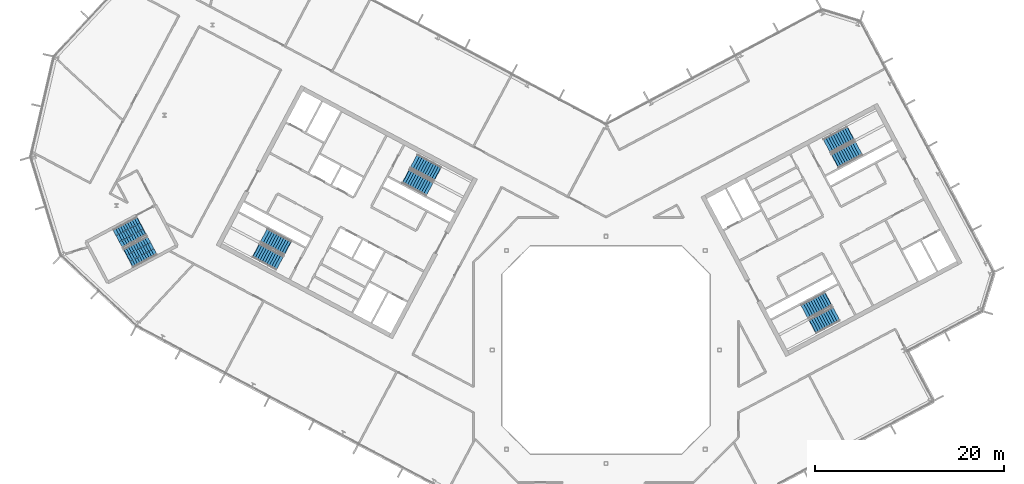
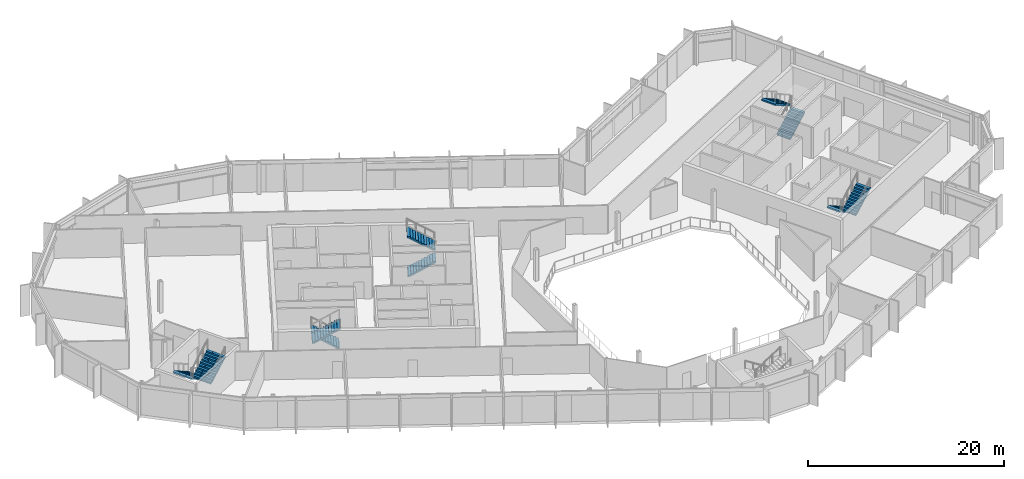
# One storey, part 17 of 25: 10 stair flights, 5 elements without a shape of their own.
"""IFC4 building model written with IfcOpenShell, lengths in metres."""

from ifc_helpers import new_model, si_unit, direction, frame, origin, place, context, subcontext, project, spatial, polyline, outline, extrude, material, type_object, element, aggregate, save


model = new_model("IFC4")

# Units and contexts
model_context = context("Model", 3, precision=1e-05, world=origin(), true_north=direction((0.0, 1.0)))
body_context = subcontext(model_context, "Body", "Model", "MODEL_VIEW")
ifc_project = project(units=[si_unit("LENGTHUNIT", "METRE"), si_unit("AREAUNIT", "SQUARE_METRE"), si_unit("VOLUMEUNIT", "CUBIC_METRE"), si_unit("PLANEANGLEUNIT", "RADIAN"), si_unit("MASSUNIT", "GRAM", prefix="KILO")], contexts=[model_context])

# Site, building, storey
site_placement = place(None, origin())
site = spatial("IfcSite", under=ifc_project, at=site_placement, CompositionType="ELEMENT")
building_placement = place(site_placement, origin())
building = spatial("IfcBuilding", under=site, at=building_placement, Name="Cormorant Relay Tower", CompositionType="ELEMENT")
storey_placement = place(building_placement, frame((0.0, 0.0, 265.800048828125)))
storey = spatial("IfcBuildingStorey", under=building, at=storey_placement, Name="L59", CompositionType="ELEMENT", Elevation=265.800048828125)

# Stair, stair flights
ifc_material_1 = material(Name="Concrete 40 MPa", Category="concrete")
stair_type_1 = type_object("IfcStairType", Name="Exit stair 1500", PredefinedType="HALF_TURN_STAIR", material=ifc_material_1)
stair_1_placement = place(storey_placement, origin())
stair_1 = element("IfcStair", 1, at=stair_1_placement, inside=storey, type_object=stair_type_1, Name="L59 Stair", PredefinedType="HALF_TURN_STAIR")
ifc_material_2 = material(Name="Concrete 40 MPa", Category="concrete")
stair_flight_type_1 = type_object("IfcStairFlightType", Name="Exit stair flight 1650", PredefinedType="STRAIGHT", material=ifc_material_2)
stair_flight_1_placement = place(storey_placement, frame((-21.114501953125, 18.33349609375, 0.0), z_axis=(0.0, 0.0, 1.0), x_axis=(0.882947592859, -0.469471562786, 0.0)))
stair_flight_1 = element("IfcStairFlight", 2, at=stair_flight_1_placement, type_object=stair_flight_type_1, Name="A1 flight 1", NumberOfRisers=11, NumberOfTreads=10, PredefinedType="STRAIGHT", RiserHeight=0.177272727, TreadLength=0.28, context=body_context, shape_type="SweptSolid", body=[
    extrude(outline(polyline([(-0.050048828125, -0.080078125), (-0.050048828125, 0.0), (0.0, 0.0), (0.0, 0.17724609375), (0.280029296875, 0.17724609375), (0.280029296875, 0.3544921875), (0.56005859375, 0.3544921875), (0.56005859375, 0.53173828125), (0.840087890625, 0.53173828125), (0.840087890625, 0.708984375), (1.1201171875, 0.708984375), (1.1201171875, 0.886474609375), (1.39990234375, 0.886474609375), (1.39990234375, 1.063720703125), (1.679931640625, 1.063720703125), (1.679931640625, 1.240966796875), (1.9599609375, 1.240966796875), (1.9599609375, 1.418212890625), (2.239990234375, 1.418212890625), (2.239990234375, 1.595458984375), (2.52001953125, 1.595458984375), (2.52001953125, 1.772705078125), (2.800048828125, 1.772705078125), (2.85009765625, 1.772705078125), (2.85009765625, 1.59521484375), (2.800048828125, 1.59521484375), (0.2802734375, 0.0), (-0.050048828125, -0.080078125)])), frame((0.0, 0.824951171875, 0.0), z_axis=(0.0, -1.0, 0.0), x_axis=(1.0, 0.0, 0.0)), (0.0, 0.0, 1.0), 1.64990234375),
])
stair_flight_2_placement = place(storey_placement, frame((-17.797119140625, 18.6083984375, 1.949951171875), z_axis=(0.0, 0.0, 1.0), x_axis=(-0.882947592859, 0.469471562786, 0.0)))
stair_flight_2 = element("IfcStairFlight", 3, at=stair_flight_2_placement, type_object=stair_flight_type_1, Name="A1 flight 2", NumberOfRisers=11, NumberOfTreads=10, PredefinedType="STRAIGHT", RiserHeight=0.177272727, TreadLength=0.28, context=body_context, shape_type="SweptSolid", body=[
    extrude(outline(polyline([(-0.050048828125, -0.080078125), (-0.050048828125, 0.0), (0.0, 0.0), (0.0, 0.17724609375), (0.280029296875, 0.17724609375), (0.280029296875, 0.3544921875), (0.56005859375, 0.3544921875), (0.56005859375, 0.53173828125), (0.840087890625, 0.53173828125), (0.840087890625, 0.708984375), (1.1201171875, 0.708984375), (1.1201171875, 0.886474609375), (1.39990234375, 0.886474609375), (1.39990234375, 1.063720703125), (1.679931640625, 1.063720703125), (1.679931640625, 1.240966796875), (1.9599609375, 1.240966796875), (1.9599609375, 1.418212890625), (2.239990234375, 1.418212890625), (2.239990234375, 1.595458984375), (2.52001953125, 1.595458984375), (2.52001953125, 1.772705078125), (2.800048828125, 1.772705078125), (2.85009765625, 1.772705078125), (2.85009765625, 1.59521484375), (2.800048828125, 1.59521484375), (0.2802734375, 0.0), (-0.050048828125, -0.080078125)])), frame((0.0, 0.824951171875, 0.0), z_axis=(0.0, -1.0, 0.0), x_axis=(1.0, 0.0, 0.0)), (0.0, 0.0, 1.0), 1.64990234375),
])
aggregate(stair_1, [stair_flight_1, stair_flight_2])

stair_2_placement = place(storey_placement, origin())
stair_2 = element("IfcStair", 4, at=stair_2_placement, inside=storey, type_object=stair_type_1, Name="L59 Stair", PredefinedType="HALF_TURN_STAIR")
stair_flight_3_placement = place(storey_placement, frame((-33.62841796875, 10.773681640625, 0.0), z_axis=(0.0, 0.0, 1.0), x_axis=(-0.882947592859, 0.469471562786, 0.0)))
stair_flight_3 = element("IfcStairFlight", 5, at=stair_flight_3_placement, type_object=stair_flight_type_1, Name="A2 flight 1", NumberOfRisers=11, NumberOfTreads=10, PredefinedType="STRAIGHT", RiserHeight=0.177272727, TreadLength=0.28, context=body_context, shape_type="SweptSolid", body=[
    extrude(outline(polyline([(-0.050048828125, -0.080078125), (-0.050048828125, 0.0), (0.0, 0.0), (0.0, 0.17724609375), (0.280029296875, 0.17724609375), (0.280029296875, 0.3544921875), (0.56005859375, 0.3544921875), (0.56005859375, 0.53173828125), (0.840087890625, 0.53173828125), (0.840087890625, 0.708984375), (1.1201171875, 0.708984375), (1.1201171875, 0.886474609375), (1.39990234375, 0.886474609375), (1.39990234375, 1.063720703125), (1.679931640625, 1.063720703125), (1.679931640625, 1.240966796875), (1.9599609375, 1.240966796875), (1.9599609375, 1.418212890625), (2.239990234375, 1.418212890625), (2.239990234375, 1.595458984375), (2.52001953125, 1.595458984375), (2.52001953125, 1.772705078125), (2.800048828125, 1.772705078125), (2.85009765625, 1.772705078125), (2.85009765625, 1.59521484375), (2.800048828125, 1.59521484375), (0.2802734375, 0.0), (-0.050048828125, -0.080078125)])), frame((0.0, 0.824951171875, 0.0), z_axis=(0.0, -1.0, 0.0), x_axis=(1.0, 0.0, 0.0)), (0.0, 0.0, 1.0), 1.64990234375),
])
stair_flight_4_placement = place(storey_placement, frame((-36.945556640625, 10.498779296875, 1.949951171875), z_axis=(0.0, 0.0, 1.0), x_axis=(0.882947592859, -0.469471562786, 0.0)))
stair_flight_4 = element("IfcStairFlight", 6, at=stair_flight_4_placement, type_object=stair_flight_type_1, Name="A2 flight 2", NumberOfRisers=11, NumberOfTreads=10, PredefinedType="STRAIGHT", RiserHeight=0.177272727, TreadLength=0.28, context=body_context, shape_type="SweptSolid", body=[
    extrude(outline(polyline([(-0.050048828125, -0.080078125), (-0.050048828125, 0.0), (0.0, 0.0), (0.0, 0.17724609375), (0.280029296875, 0.17724609375), (0.280029296875, 0.3544921875), (0.56005859375, 0.3544921875), (0.56005859375, 0.53173828125), (0.840087890625, 0.53173828125), (0.840087890625, 0.708984375), (1.1201171875, 0.708984375), (1.1201171875, 0.886474609375), (1.39990234375, 0.886474609375), (1.39990234375, 1.063720703125), (1.679931640625, 1.063720703125), (1.679931640625, 1.240966796875), (1.9599609375, 1.240966796875), (1.9599609375, 1.418212890625), (2.239990234375, 1.418212890625), (2.239990234375, 1.595458984375), (2.52001953125, 1.595458984375), (2.52001953125, 1.772705078125), (2.800048828125, 1.772705078125), (2.85009765625, 1.772705078125), (2.85009765625, 1.59521484375), (2.800048828125, 1.59521484375), (0.2802734375, 0.0), (-0.050048828125, -0.080078125)])), frame((0.0, 0.824951171875, 0.0), z_axis=(0.0, -1.0, 0.0), x_axis=(1.0, 0.0, 0.0)), (0.0, 0.0, 1.0), 1.64990234375),
])
aggregate(stair_2, [stair_flight_3, stair_flight_4])

stair_3_placement = place(storey_placement, origin())
stair_3 = element("IfcStair", 7, at=stair_3_placement, inside=storey, type_object=stair_type_1, Name="L59 Stair", PredefinedType="HALF_TURN_STAIR")
stair_flight_5_placement = place(storey_placement, frame((23.474365234375, 5.374755859375, 0.0), z_axis=(0.0, 0.0, 1.0), x_axis=(-0.882947592859, -0.469471562786, 0.0)))
stair_flight_5 = element("IfcStairFlight", 8, at=stair_flight_5_placement, type_object=stair_flight_type_1, Name="B1 flight 1", NumberOfRisers=11, NumberOfTreads=10, PredefinedType="STRAIGHT", RiserHeight=0.177272727, TreadLength=0.28, context=body_context, shape_type="SweptSolid", body=[
    extrude(outline(polyline([(-0.050048828125, -0.080078125), (-0.050048828125, 0.0), (0.0, 0.0), (0.0, 0.17724609375), (0.280029296875, 0.17724609375), (0.280029296875, 0.3544921875), (0.56005859375, 0.3544921875), (0.56005859375, 0.53173828125), (0.840087890625, 0.53173828125), (0.840087890625, 0.708984375), (1.1201171875, 0.708984375), (1.1201171875, 0.886474609375), (1.39990234375, 0.886474609375), (1.39990234375, 1.063720703125), (1.679931640625, 1.063720703125), (1.679931640625, 1.240966796875), (1.9599609375, 1.240966796875), (1.9599609375, 1.418212890625), (2.239990234375, 1.418212890625), (2.239990234375, 1.595458984375), (2.52001953125, 1.595458984375), (2.52001953125, 1.772705078125), (2.800048828125, 1.772705078125), (2.85009765625, 1.772705078125), (2.85009765625, 1.59521484375), (2.800048828125, 1.59521484375), (0.2802734375, 0.0), (-0.050048828125, -0.080078125)])), frame((0.0, 0.824951171875, 0.0), z_axis=(0.0, -1.0, 0.0), x_axis=(1.0, 0.0, 0.0)), (0.0, 0.0, 1.0), 1.64990234375),
])
stair_flight_6_placement = place(storey_placement, frame((21.84716796875, 2.470947265625, 1.949951171875), z_axis=(0.0, 0.0, 1.0), x_axis=(0.882947592859, 0.469471562786, 0.0)))
stair_flight_6 = element("IfcStairFlight", 9, at=stair_flight_6_placement, type_object=stair_flight_type_1, Name="B1 flight 2", NumberOfRisers=11, NumberOfTreads=10, PredefinedType="STRAIGHT", RiserHeight=0.177272727, TreadLength=0.28, context=body_context, shape_type="SweptSolid", body=[
    extrude(outline(polyline([(-0.050048828125, -0.080078125), (-0.050048828125, 0.0), (0.0, 0.0), (0.0, 0.17724609375), (0.280029296875, 0.17724609375), (0.280029296875, 0.3544921875), (0.56005859375, 0.3544921875), (0.56005859375, 0.53173828125), (0.840087890625, 0.53173828125), (0.840087890625, 0.708984375), (1.1201171875, 0.708984375), (1.1201171875, 0.886474609375), (1.39990234375, 0.886474609375), (1.39990234375, 1.063720703125), (1.679931640625, 1.063720703125), (1.679931640625, 1.240966796875), (1.9599609375, 1.240966796875), (1.9599609375, 1.418212890625), (2.239990234375, 1.418212890625), (2.239990234375, 1.595458984375), (2.52001953125, 1.595458984375), (2.52001953125, 1.772705078125), (2.800048828125, 1.772705078125), (2.85009765625, 1.772705078125), (2.85009765625, 1.59521484375), (2.800048828125, 1.59521484375), (0.2802734375, 0.0), (-0.050048828125, -0.080078125)])), frame((0.0, 0.824951171875, 0.0), z_axis=(0.0, -1.0, 0.0), x_axis=(1.0, 0.0, 0.0)), (0.0, 0.0, 1.0), 1.64990234375),
])
aggregate(stair_3, [stair_flight_5, stair_flight_6])

stair_4_placement = place(storey_placement, origin())
stair_4 = element("IfcStair", 10, at=stair_4_placement, inside=storey, type_object=stair_type_1, Name="L59 Stair", PredefinedType="HALF_TURN_STAIR")
stair_flight_7_placement = place(storey_placement, frame((24.20458984375, 19.976806640625, 0.0), z_axis=(0.0, 0.0, 1.0), x_axis=(0.882947592859, 0.469471562786, 0.0)))
stair_flight_7 = element("IfcStairFlight", 11, at=stair_flight_7_placement, type_object=stair_flight_type_1, Name="B2 flight 1", NumberOfRisers=11, NumberOfTreads=10, PredefinedType="STRAIGHT", RiserHeight=0.177272727, TreadLength=0.28, context=body_context, shape_type="SweptSolid", body=[
    extrude(outline(polyline([(-0.050048828125, -0.080078125), (-0.050048828125, 0.0), (0.0, 0.0), (0.0, 0.17724609375), (0.280029296875, 0.17724609375), (0.280029296875, 0.3544921875), (0.56005859375, 0.3544921875), (0.56005859375, 0.53173828125), (0.840087890625, 0.53173828125), (0.840087890625, 0.708984375), (1.1201171875, 0.708984375), (1.1201171875, 0.886474609375), (1.39990234375, 0.886474609375), (1.39990234375, 1.063720703125), (1.679931640625, 1.063720703125), (1.679931640625, 1.240966796875), (1.9599609375, 1.240966796875), (1.9599609375, 1.418212890625), (2.239990234375, 1.418212890625), (2.239990234375, 1.595458984375), (2.52001953125, 1.595458984375), (2.52001953125, 1.772705078125), (2.800048828125, 1.772705078125), (2.85009765625, 1.772705078125), (2.85009765625, 1.59521484375), (2.800048828125, 1.59521484375), (0.2802734375, 0.0), (-0.050048828125, -0.080078125)])), frame((0.0, 0.824951171875, 0.0), z_axis=(0.0, -1.0, 0.0), x_axis=(1.0, 0.0, 0.0)), (0.0, 0.0, 1.0), 1.64990234375),
])
stair_flight_8_placement = place(storey_placement, frame((25.831787109375, 22.880615234375, 1.949951171875), z_axis=(0.0, 0.0, 1.0), x_axis=(-0.882947592859, -0.469471562786, 0.0)))
stair_flight_8 = element("IfcStairFlight", 12, at=stair_flight_8_placement, type_object=stair_flight_type_1, Name="B2 flight 2", NumberOfRisers=11, NumberOfTreads=10, PredefinedType="STRAIGHT", RiserHeight=0.177272727, TreadLength=0.28, context=body_context, shape_type="SweptSolid", body=[
    extrude(outline(polyline([(-0.050048828125, -0.080078125), (-0.050048828125, 0.0), (0.0, 0.0), (0.0, 0.17724609375), (0.280029296875, 0.17724609375), (0.280029296875, 0.3544921875), (0.56005859375, 0.3544921875), (0.56005859375, 0.53173828125), (0.840087890625, 0.53173828125), (0.840087890625, 0.708984375), (1.1201171875, 0.708984375), (1.1201171875, 0.886474609375), (1.39990234375, 0.886474609375), (1.39990234375, 1.063720703125), (1.679931640625, 1.063720703125), (1.679931640625, 1.240966796875), (1.9599609375, 1.240966796875), (1.9599609375, 1.418212890625), (2.239990234375, 1.418212890625), (2.239990234375, 1.595458984375), (2.52001953125, 1.595458984375), (2.52001953125, 1.772705078125), (2.800048828125, 1.772705078125), (2.85009765625, 1.772705078125), (2.85009765625, 1.59521484375), (2.800048828125, 1.59521484375), (0.2802734375, 0.0), (-0.050048828125, -0.080078125)])), frame((0.0, 0.824951171875, 0.0), z_axis=(0.0, -1.0, 0.0), x_axis=(1.0, 0.0, 0.0)), (0.0, 0.0, 1.0), 1.64990234375),
])
aggregate(stair_4, [stair_flight_7, stair_flight_8])

ifc_material_3 = material(Name="Concrete 40 MPa", Category="concrete")
stair_type_2 = type_object("IfcStairType", Name="Remote exit stair 2200", PredefinedType="HALF_TURN_STAIR", material=ifc_material_3)
stair_5_placement = place(storey_placement, origin())
stair_5 = element("IfcStair", 13, at=stair_5_placement, inside=storey, type_object=stair_type_2, Name="L59 Stair", PredefinedType="HALF_TURN_STAIR")
ifc_material_4 = material(Name="Concrete 40 MPa", Category="concrete")
stair_flight_type_2 = type_object("IfcStairFlightType", Name="Remote exit stair flight 2200", PredefinedType="STRAIGHT", material=ifc_material_4)
stair_flight_9_placement = place(storey_placement, frame((-49.062255859375, 13.08251953125, 0.0), z_axis=(0.0, 0.0, 1.0), x_axis=(-0.882947502727, -0.4694717323, 0.0)))
stair_flight_9 = element("IfcStairFlight", 14, at=stair_flight_9_placement, type_object=stair_flight_type_2, Name="RP1 flight 1", NumberOfRisers=11, NumberOfTreads=10, PredefinedType="STRAIGHT", RiserHeight=0.177272727, TreadLength=0.28, context=body_context, shape_type="SweptSolid", body=[
    extrude(outline(polyline([(-0.050048828125, -0.080078125), (-0.050048828125, 0.0), (0.0, 0.0), (0.0, 0.17724609375), (0.280029296875, 0.17724609375), (0.280029296875, 0.3544921875), (0.56005859375, 0.3544921875), (0.56005859375, 0.53173828125), (0.840087890625, 0.53173828125), (0.840087890625, 0.708984375), (1.1201171875, 0.708984375), (1.1201171875, 0.886474609375), (1.39990234375, 0.886474609375), (1.39990234375, 1.063720703125), (1.679931640625, 1.063720703125), (1.679931640625, 1.240966796875), (1.9599609375, 1.240966796875), (1.9599609375, 1.418212890625), (2.239990234375, 1.418212890625), (2.239990234375, 1.595458984375), (2.52001953125, 1.595458984375), (2.52001953125, 1.772705078125), (2.800048828125, 1.772705078125), (2.85009765625, 1.772705078125), (2.85009765625, 1.59521484375), (2.800048828125, 1.59521484375), (0.2802734375, 0.0), (-0.050048828125, -0.080078125)])), frame((0.0, 1.10009765625, 0.0), z_axis=(0.0, -1.0, 0.0), x_axis=(1.0, 0.0, 0.0)), (0.0, 0.0, 1.0), 0.719970703125),
    extrude(outline(polyline([(-0.050048828125, -0.080078125), (-0.050048828125, 0.0), (0.0, 0.0), (0.0, 0.17724609375), (0.280029296875, 0.17724609375), (0.280029296875, 0.3544921875), (0.56005859375, 0.3544921875), (0.56005859375, 0.53173828125), (0.840087890625, 0.53173828125), (0.840087890625, 0.708984375), (1.1201171875, 0.708984375), (1.1201171875, 0.886474609375), (1.39990234375, 0.886474609375), (1.39990234375, 1.063720703125), (1.679931640625, 1.063720703125), (1.679931640625, 1.240966796875), (1.9599609375, 1.240966796875), (1.9599609375, 1.418212890625), (2.239990234375, 1.418212890625), (2.239990234375, 1.595458984375), (2.52001953125, 1.595458984375), (2.52001953125, 1.772705078125), (2.800048828125, 1.772705078125), (2.85009765625, 1.772705078125), (2.85009765625, 1.59521484375), (2.800048828125, 1.59521484375), (0.2802734375, 0.0), (-0.050048828125, -0.080078125)])), frame((0.0, 0.360107421875, 0.0), z_axis=(0.0, -1.0, 0.0), x_axis=(1.0, 0.0, 0.0)), (0.0, 0.0, 1.0), 0.719970703125),
    extrude(outline(polyline([(-0.050048828125, -0.080078125), (-0.050048828125, 0.0), (0.0, 0.0), (0.0, 0.17724609375), (0.280029296875, 0.17724609375), (0.280029296875, 0.3544921875), (0.56005859375, 0.3544921875), (0.56005859375, 0.53173828125), (0.840087890625, 0.53173828125), (0.840087890625, 0.708984375), (1.1201171875, 0.708984375), (1.1201171875, 0.886474609375), (1.39990234375, 0.886474609375), (1.39990234375, 1.063720703125), (1.679931640625, 1.063720703125), (1.679931640625, 1.240966796875), (1.9599609375, 1.240966796875), (1.9599609375, 1.418212890625), (2.239990234375, 1.418212890625), (2.239990234375, 1.595458984375), (2.52001953125, 1.595458984375), (2.52001953125, 1.772705078125), (2.800048828125, 1.772705078125), (2.85009765625, 1.772705078125), (2.85009765625, 1.59521484375), (2.800048828125, 1.59521484375), (0.2802734375, 0.0), (-0.050048828125, -0.080078125)])), frame((0.0, -0.3798828125, 0.0), z_axis=(0.0, -1.0, 0.0), x_axis=(1.0, 0.0, 0.0)), (0.0, 0.0, 1.0), 0.719970703125),
])
stair_flight_10_placement = place(storey_placement, frame((-50.431396484375, 9.693115234375, 1.949951171875), z_axis=(0.0, 0.0, 1.0), x_axis=(0.882947502727, 0.4694717323, 0.0)))
stair_flight_10 = element("IfcStairFlight", 15, at=stair_flight_10_placement, type_object=stair_flight_type_2, Name="RP1 flight 2", NumberOfRisers=11, NumberOfTreads=10, PredefinedType="STRAIGHT", RiserHeight=0.177272727, TreadLength=0.28, context=body_context, shape_type="SweptSolid", body=[
    extrude(outline(polyline([(-0.050048828125, -0.080078125), (-0.050048828125, 0.0), (0.0, 0.0), (0.0, 0.17724609375), (0.280029296875, 0.17724609375), (0.280029296875, 0.3544921875), (0.56005859375, 0.3544921875), (0.56005859375, 0.53173828125), (0.840087890625, 0.53173828125), (0.840087890625, 0.708984375), (1.1201171875, 0.708984375), (1.1201171875, 0.886474609375), (1.39990234375, 0.886474609375), (1.39990234375, 1.063720703125), (1.679931640625, 1.063720703125), (1.679931640625, 1.240966796875), (1.9599609375, 1.240966796875), (1.9599609375, 1.418212890625), (2.239990234375, 1.418212890625), (2.239990234375, 1.595458984375), (2.52001953125, 1.595458984375), (2.52001953125, 1.772705078125), (2.800048828125, 1.772705078125), (2.85009765625, 1.772705078125), (2.85009765625, 1.59521484375), (2.800048828125, 1.59521484375), (0.2802734375, 0.0), (-0.050048828125, -0.080078125)])), frame((0.0, 1.10009765625, 0.0), z_axis=(0.0, -1.0, 0.0), x_axis=(1.0, 0.0, 0.0)), (0.0, 0.0, 1.0), 0.719970703125),
    extrude(outline(polyline([(-0.050048828125, -0.080078125), (-0.050048828125, 0.0), (0.0, 0.0), (0.0, 0.17724609375), (0.280029296875, 0.17724609375), (0.280029296875, 0.3544921875), (0.56005859375, 0.3544921875), (0.56005859375, 0.53173828125), (0.840087890625, 0.53173828125), (0.840087890625, 0.708984375), (1.1201171875, 0.708984375), (1.1201171875, 0.886474609375), (1.39990234375, 0.886474609375), (1.39990234375, 1.063720703125), (1.679931640625, 1.063720703125), (1.679931640625, 1.240966796875), (1.9599609375, 1.240966796875), (1.9599609375, 1.418212890625), (2.239990234375, 1.418212890625), (2.239990234375, 1.595458984375), (2.52001953125, 1.595458984375), (2.52001953125, 1.772705078125), (2.800048828125, 1.772705078125), (2.85009765625, 1.772705078125), (2.85009765625, 1.59521484375), (2.800048828125, 1.59521484375), (0.2802734375, 0.0), (-0.050048828125, -0.080078125)])), frame((0.0, 0.360107421875, 0.0), z_axis=(0.0, -1.0, 0.0), x_axis=(1.0, 0.0, 0.0)), (0.0, 0.0, 1.0), 0.719970703125),
    extrude(outline(polyline([(-0.050048828125, -0.080078125), (-0.050048828125, 0.0), (0.0, 0.0), (0.0, 0.17724609375), (0.280029296875, 0.17724609375), (0.280029296875, 0.3544921875), (0.56005859375, 0.3544921875), (0.56005859375, 0.53173828125), (0.840087890625, 0.53173828125), (0.840087890625, 0.708984375), (1.1201171875, 0.708984375), (1.1201171875, 0.886474609375), (1.39990234375, 0.886474609375), (1.39990234375, 1.063720703125), (1.679931640625, 1.063720703125), (1.679931640625, 1.240966796875), (1.9599609375, 1.240966796875), (1.9599609375, 1.418212890625), (2.239990234375, 1.418212890625), (2.239990234375, 1.595458984375), (2.52001953125, 1.595458984375), (2.52001953125, 1.772705078125), (2.800048828125, 1.772705078125), (2.85009765625, 1.772705078125), (2.85009765625, 1.59521484375), (2.800048828125, 1.59521484375), (0.2802734375, 0.0), (-0.050048828125, -0.080078125)])), frame((0.0, -0.3798828125, 0.0), z_axis=(0.0, -1.0, 0.0), x_axis=(1.0, 0.0, 0.0)), (0.0, 0.0, 1.0), 0.719970703125),
])
aggregate(stair_5, [stair_flight_9, stair_flight_10])

save(model, "model.ifc")
